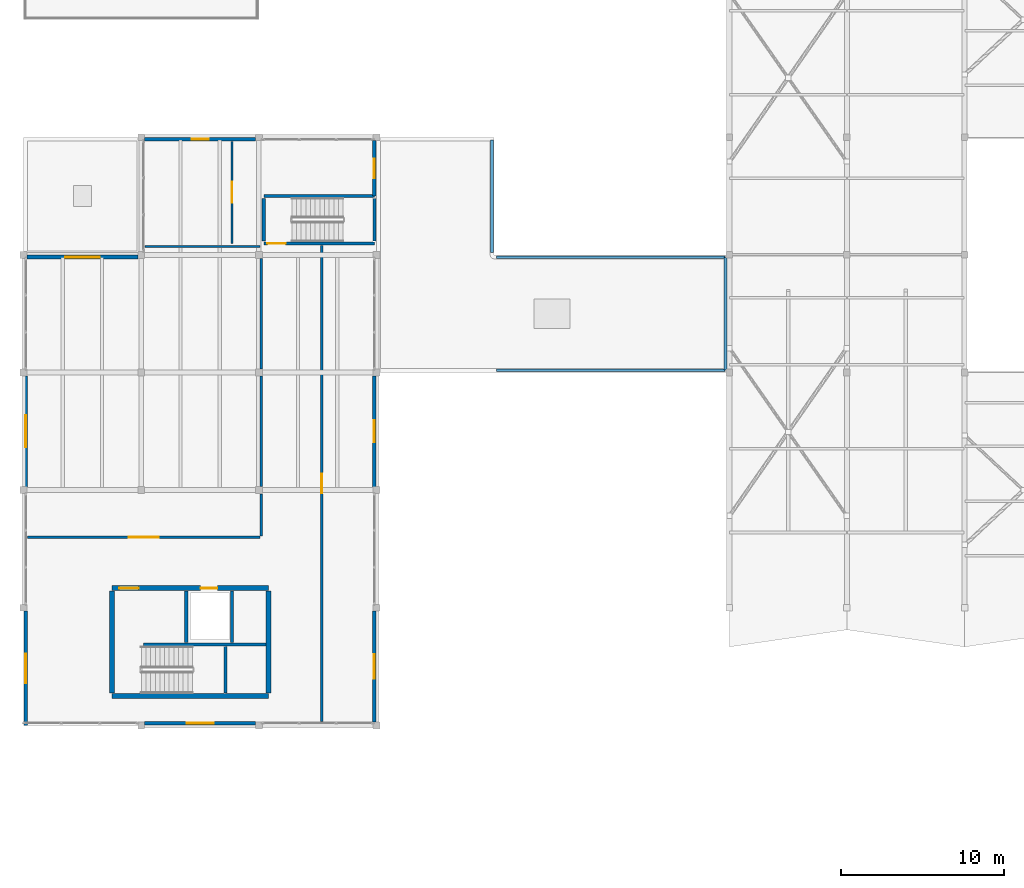
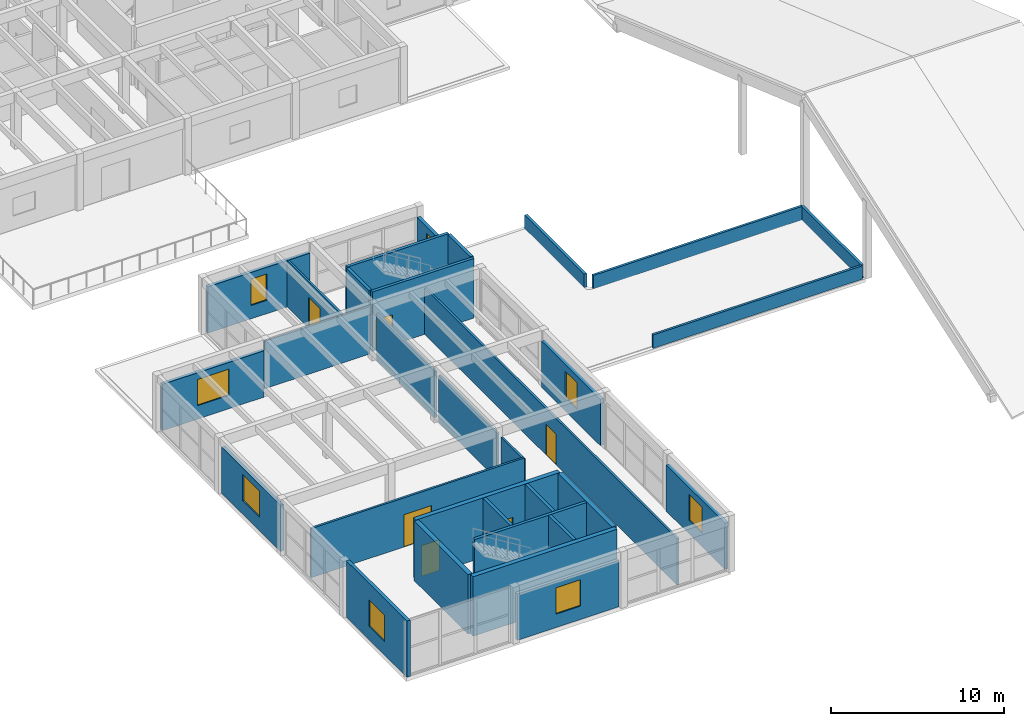
# One storey, part 54 of 68: 31 walls, 8 windows, 6 doors, 14 openings.
"""IFC4 building model written with IfcOpenShell, lengths in metres."""

from ifc_helpers import new_model, si_unit, direction, frame, frame_2d, origin, place, context, subcontext, project, spatial, rectangle, extrude, material, layer, layer_set, type_object, element, fill, save


model = new_model("IFC4")

# Units and contexts
model_context = context("Model", 3, precision=1e-05, world=origin(), true_north=direction((0.0, 1.0)))
body_context = subcontext(model_context, "Body", "Model", "MODEL_VIEW")
ifc_project = project(units=[si_unit("LENGTHUNIT", "METRE"), si_unit("AREAUNIT", "SQUARE_METRE"), si_unit("VOLUMEUNIT", "CUBIC_METRE"), si_unit("PLANEANGLEUNIT", "RADIAN"), si_unit("MASSUNIT", "GRAM", prefix="KILO")], contexts=[model_context])

# Site, building, storey
site_placement = place(None, origin())
site = spatial("IfcSite", under=ifc_project, at=site_placement, CompositionType="ELEMENT")
building_placement = place(site_placement, origin())
building = spatial("IfcBuilding", under=site, at=building_placement, Name="Bramvelor Terrace Health Centre", CompositionType="ELEMENT")
storey_placement = place(building_placement, frame((0.0, 0.0, 9.300048828125)))
storey = spatial("IfcBuildingStorey", under=building, at=storey_placement, Name="L03", CompositionType="ELEMENT", Elevation=9.300048828125)

# Wall
ifc_material_1 = material(Name="Acoustic clinical partition board", Category="gypsum")
ifc_layer_1 = layer(ifc_material_1, 0.110107421875)
ifc_layer_set_1 = layer_set([ifc_layer_1], Name="Acoustic clinical partition board")
wall_type_1 = type_object("IfcWallType", Name="WL-CLN-110", PredefinedType="PARTITIONING", material=ifc_layer_set_1)
wall_1_placement = place(storey_placement, frame((7.429931640625, 58.1201171875, 0.0), z_axis=(0.0, 0.0, 1.0), x_axis=(1.0, 0.0, 0.0)))
element("IfcWall", 1, at=wall_1_placement, inside=storey, type_object=wall_type_1, Name="L03 Interior Partition 273", PredefinedType="PARTITIONING", context=body_context, shape_type="SweptSolid", body=[
    extrude(rectangle(XDim=7.030029296875, YDim=0.110107421875, at=frame_2d((3.51513671875, 0.0))), origin(), (0.0, 0.0, 1.0), 3.349853515625),
])

# Wall, opening, door
ifc_material_2 = material(Name="Fire-rated gypsum and mineral wool", Category="gypsum")
ifc_layer_2 = layer(ifc_material_2, 0.139892578125)
ifc_layer_set_2 = layer_set([ifc_layer_2], Name="Fire-rated gypsum and mineral wool")
wall_type_2 = type_object("IfcWallType", Name="WL-COR-140", PredefinedType="PARTITIONING", material=ifc_layer_set_2)
wall_2_placement = place(storey_placement, frame((14.4599609375, 40.31005859375, 0.0), z_axis=(0.0, 0.0, 1.0), x_axis=(-1.0, 0.0, 0.0)))
wall_2 = element("IfcWall", 2, at=wall_2_placement, inside=storey, type_object=wall_type_2, Name="L03 Interior Partition 272", PredefinedType="PARTITIONING", context=body_context, shape_type="SweptSolid", body=[
    extrude(rectangle(XDim=14.22998046875, YDim=0.139892578125, at=frame_2d((7.114990234375, 0.0))), origin(), (0.0, 0.0, 1.0), 3.469970703125),
])
opening_1_placement = place(wall_2_placement, frame((6.195068359375, 0.0, 0.0)))
opening_1 = element("IfcOpeningElement", 3, at=opening_1_placement, cuts=wall_2, Name="Opening FD-10", PredefinedType="OPENING", context=body_context, shape_type="SweptSolid", body=[
    extrude(rectangle(XDim=1.840087890625, YDim=2.280029296875, at=frame_2d((0.919921875, 1.14013671875))), frame((0.0, 0.079833984375, 0.0), z_axis=(0.0, -1.0, 0.0), x_axis=(1.0, 0.0, 0.0)), (0.0, 0.0, 1.0), 0.159912109375),
])
ifc_material_3 = material(Name="Fire-rated steel and vision panel", Category="steel")
door_type_1 = type_object("IfcDoorType", Name="DR-FD60-184", OperationType="DOUBLE_DOOR_SINGLE_SWING", PredefinedType="DOOR", material=ifc_material_3)
door_1_placement = place(opening_1_placement, origin())
door_1 = element("IfcDoor", 4, at=door_1_placement, inside=storey, type_object=door_type_1, Name="L03 Individual Psychotherapy Counselling Suite Fire Door", OperationType="DOUBLE_DOOR_SINGLE_SWING", OverallHeight=2.280029296875, OverallWidth=1.840087890625, PredefinedType="DOOR", context=body_context, shape_type="SweptSolid", body=[
    extrude(rectangle(XDim=1.840087890625, YDim=2.280029296875, at=frame_2d((0.919921875, 1.14013671875))), frame((0.0, 0.02490234375, 0.0), z_axis=(0.0, -1.0, 0.0), x_axis=(1.0, 0.0, 0.0)), (0.0, 0.0, 1.0), 0.050048828125),
])
fill(opening_1, door_1)

# Walls
for number, where, z_axis, x_axis, name in (
    (5, (14.550048828125, 57.375, 0.0), (0.0, 0.0, 1.0), (0.0, -1.0, 0.0), "L03 Interior Partition 274"),
    (6, (14.550048828125, 50.175048828125, 0.0), (0.0, 0.0, 1.0), (0.0, -1.0, 0.0), "L03 Interior Partition 275"),
):
    element("IfcWall", number, at=place(storey_placement, frame(where, z_axis=z_axis, x_axis=x_axis)), inside=storey, type_object=wall_type_2, Name=name, PredefinedType="PARTITIONING", context=body_context, shape_type="SweptSolid", body=[
        extrude(rectangle(XDim=6.75, YDim=0.139892578125, at=frame_2d((3.375, 0.0))), origin(), (0.0, 0.0, 1.0), 3.27001953125),
    ])
wall_3_placement = place(storey_placement, frame((14.550048828125, 42.97509765625, 0.0), z_axis=(0.0, 0.0, 1.0), x_axis=(0.0, -1.0, 0.0)))
element("IfcWall", 7, at=wall_3_placement, inside=storey, type_object=wall_type_2, Name="L03 Interior Partition 276", PredefinedType="PARTITIONING", context=body_context, shape_type="SweptSolid", body=[
    extrude(rectangle(XDim=2.5751953125, YDim=0.139892578125, at=frame_2d((1.28759765625, 0.0))), origin(), (0.0, 0.0, 1.0), 3.27001953125),
])

# Wall, opening, door
wall_4_placement = place(storey_placement, frame((12.75, 64.550048828125, 0.0), z_axis=(0.0, 0.0, 1.0), x_axis=(0.0, -1.0, 0.0)))
wall_4 = element("IfcWall", 8, at=wall_4_placement, inside=storey, type_object=wall_type_2, Name="L03 Interior Partition 277", PredefinedType="PARTITIONING", context=body_context, shape_type="SweptSolid", body=[
    extrude(rectangle(XDim=6.25, YDim=0.139892578125, at=frame_2d((3.125, 0.0))), origin(), (0.0, 0.0, 1.0), 3.27001953125),
])
opening_2_placement = place(wall_4_placement, frame((2.485107421875, 0.0, 0.0)))
opening_2 = element("IfcOpeningElement", 9, at=opening_2_placement, cuts=wall_4, Name="Opening FD-01", PredefinedType="OPENING", context=body_context, shape_type="SweptSolid", body=[
    extrude(rectangle(XDim=1.280029296875, YDim=2.179931640625, at=frame_2d((0.64013671875, 1.08984375))), frame((0.0, 0.079833984375, 0.0), z_axis=(0.0, -1.0, 0.0), x_axis=(1.0, 0.0, 0.0)), (0.0, 0.0, 1.0), 0.159912109375),
])
ifc_material_4 = material(Name="Fire-rated steel and vision panel", Category="steel")
door_type_2 = type_object("IfcDoorType", Name="DR-FD90-128", OperationType="NOTDEFINED", PredefinedType="DOOR", material=ifc_material_4)
door_2_placement = place(opening_2_placement, origin())
door_2 = element("IfcDoor", 10, at=door_2_placement, inside=storey, type_object=door_type_2, Name="L03 Child Play Therapy Consultation Room Fire Door", OperationType="SINGLE_SWING_RIGHT", OverallHeight=2.179931640625, OverallWidth=1.280029296875, PredefinedType="DOOR", context=body_context, shape_type="SweptSolid", body=[
    extrude(rectangle(XDim=1.280029296875, YDim=2.179931640625, at=frame_2d((0.64013671875, 1.08984375))), frame((0.0, 0.02490234375, 0.0), z_axis=(0.0, -1.0, 0.0), x_axis=(1.0, 0.0, 0.0)), (0.0, 0.0, 1.0), 0.050048828125),
])
fill(opening_2, door_2)

wall_5_placement = place(storey_placement, frame((18.25, 29.030029296875, 0.0), z_axis=(0.0, 0.0, 1.0), x_axis=(6.6979797e-05, 0.999999997757, 0.0)))
wall_5 = element("IfcWall", 11, at=wall_5_placement, inside=storey, type_object=wall_type_2, Name="L03 Interior Partition 278", PredefinedType="PARTITIONING", context=body_context, shape_type="SweptSolid", body=[
    extrude(rectangle(XDim=29.159912109375, YDim=0.139892578125, at=frame_2d((14.580078125, 0.0))), origin(), (0.0, 0.0, 1.0), 3.27001953125),
])
opening_3_placement = place(wall_5_placement, frame((13.989990234375, 0.0, 0.0)))
opening_3 = element("IfcOpeningElement", 12, at=opening_3_placement, cuts=wall_5, Name="Opening FD-02", PredefinedType="OPENING", context=body_context, shape_type="SweptSolid", body=[
    extrude(rectangle(XDim=1.179931640625, YDim=2.159912109375, at=frame_2d((0.58984375, 1.080078125))), frame((0.0, 0.079833984375, 0.0), z_axis=(0.0, -1.0, 0.0), x_axis=(1.0, 0.0, 0.0)), (0.0, 0.0, 1.0), 0.159912109375),
])
ifc_material_5 = material(Name="Fire-rated steel and vision panel", Category="steel")
door_type_3 = type_object("IfcDoorType", Name="DR-FD90-118", OperationType="NOTDEFINED", PredefinedType="DOOR", material=ifc_material_5)
door_3_placement = place(opening_3_placement, origin())
door_3 = element("IfcDoor", 13, at=door_3_placement, inside=storey, type_object=door_type_3, Name="L03 Child and Family Psychiatry Suite Fire Door", OperationType="SINGLE_SWING_LEFT", OverallHeight=2.159912109375, OverallWidth=1.179931640625, PredefinedType="DOOR", context=body_context, shape_type="SweptSolid", body=[
    extrude(rectangle(XDim=1.179931640625, YDim=2.159912109375, at=frame_2d((0.58984375, 1.080078125))), frame((0.0, 0.02490234375, 0.0), z_axis=(0.0, -1.0, 0.0), x_axis=(1.0, 0.0, 0.0)), (0.0, 0.0, 1.0), 0.050048828125),
])
fill(opening_3, door_3)

# Walls
ifc_material_6 = material(Name="Concrete C40/50", Category="concrete")
ifc_layer_3 = layer(ifc_material_6, 0.199951171875)
ifc_layer_set_3 = layer_set([ifc_layer_3], Name="Concrete C40/50")
wall_type_3 = type_object("IfcWallType", Name="WL-CORE-200", PredefinedType="SHEAR", material=ifc_layer_set_3)
wall_6_placement = place(storey_placement, frame((7.35009765625, 33.75, 0.0), z_axis=(0.0, 0.0, 1.0), x_axis=(1.0, 0.0, 0.0)))
element("IfcWall", 14, at=wall_6_placement, inside=storey, type_object=wall_type_3, Name="C3 L03 Core Shear Wall", PredefinedType="SHEAR", context=body_context, shape_type="SweptSolid", body=[
    extrude(rectangle(XDim=7.469970703125, YDim=0.199951171875, at=frame_2d((3.73486328125, 0.0))), origin(), (0.0, 0.0, 1.0), 4.199951171875),
])
wall_7_placement = place(storey_placement, frame((12.35498046875, 30.780029296875, 0.0), z_axis=(0.0, 0.0, 1.0), x_axis=(0.0, 1.0, 0.0)))
element("IfcWall", 15, at=wall_7_placement, inside=storey, type_object=wall_type_3, Name="C3 L03 Core Shear Wall", PredefinedType="SHEAR", context=body_context, shape_type="SweptSolid", body=[
    extrude(rectangle(XDim=2.849853515625, YDim=0.199951171875, at=frame_2d((1.4248046875, 0.0))), origin(), (0.0, 0.0, 1.0), 4.199951171875),
])
for number, where, z_axis, x_axis, name in (
    (16, (9.949951171875, 33.8701171875, 0.0), (0.0, 0.0, 1.0), (0.0, 1.0, 0.0), "C3 L03 Core Shear Wall"),
    (17, (12.75, 33.8701171875, 0.0), (0.0, 0.0, 1.0), (0.0, 1.0, 0.0), "C3 L03 Lift Divider Wall"),
):
    element("IfcWall", number, at=place(storey_placement, frame(where, z_axis=z_axis, x_axis=x_axis)), inside=storey, type_object=wall_type_3, Name=name, PredefinedType="SHEAR", context=body_context, shape_type="SweptSolid", body=[
        extrude(rectangle(XDim=3.14990234375, YDim=0.199951171875, at=frame_2d((1.574951171875, 0.0))), origin(), (0.0, 0.0, 1.0), 4.199951171875),
    ])

# Wall, opening, door
wall_8_placement = place(storey_placement, frame((14.699951171875, 58.300048828125, 0.0), z_axis=(0.0, 0.0, 1.0), x_axis=(1.0, 0.0, 0.0)))
wall_8 = element("IfcWall", 18, at=wall_8_placement, inside=storey, type_object=wall_type_3, Name="ST-6 L03 Stair Shaft Wall", PredefinedType="SHEAR", context=body_context, shape_type="SweptSolid", body=[
    extrude(rectangle(XDim=6.775146484375, YDim=0.199951171875, at=frame_2d((3.3876953125, 0.0))), origin(), (0.0, 0.0, 1.0), 4.199951171875),
])
opening_4_placement = place(wall_8_placement, frame((0.219970703125, 0.0, 0.0)))
opening_4 = element("IfcOpeningElement", 19, at=opening_4_placement, cuts=wall_8, Name="Opening FD-06", PredefinedType="OPENING", context=body_context, shape_type="SweptSolid", body=[
    extrude(rectangle(XDim=1.1201171875, YDim=2.139892578125, at=frame_2d((0.56005859375, 1.06982421875))), frame((0.0, 0.10986328125, 0.0), z_axis=(0.0, -1.0, 0.0), x_axis=(1.0, 0.0, 0.0)), (0.0, 0.0, 1.0), 0.219970703125),
])
ifc_material_7 = material(Name="Fire-rated steel and vision panel", Category="steel")
door_type_4 = type_object("IfcDoorType", Name="DR-FD60-112", OperationType="NOTDEFINED", PredefinedType="DOOR", material=ifc_material_7)
door_4_placement = place(opening_4_placement, origin())
door_4 = element("IfcDoor", 20, at=door_4_placement, inside=storey, type_object=door_type_4, Name="ST-6 L03 Exit Stair Fire Door", OperationType="SINGLE_SWING_LEFT", OverallHeight=2.139892578125, OverallWidth=1.1201171875, PredefinedType="DOOR", context=body_context, shape_type="SweptSolid", body=[
    extrude(rectangle(XDim=1.1201171875, YDim=2.139892578125, at=frame_2d((0.56005859375, 1.06982421875))), frame((0.0, 0.02490234375, 0.0), z_axis=(0.0, -1.0, 0.0), x_axis=(1.0, 0.0, 0.0)), (0.0, 0.0, 1.0), 0.050048828125),
])
fill(opening_4, door_4)

# Walls
wall_9_placement = place(storey_placement, frame((14.699951171875, 61.199951171875, 0.0), z_axis=(0.0, 0.0, 1.0), x_axis=(1.0, 0.0, 0.0)))
element("IfcWall", 21, at=wall_9_placement, inside=storey, type_object=wall_type_3, Name="ST-6 L03 Stair Shaft Wall", PredefinedType="SHEAR", context=body_context, shape_type="SweptSolid", body=[
    extrude(rectangle(XDim=6.775146484375, YDim=0.199951171875, at=frame_2d((3.3876953125, 0.0))), origin(), (0.0, 0.0, 1.0), 4.199951171875),
])
for number, where, z_axis, x_axis, name in (
    (22, (14.699951171875, 58.449951171875, 0.0), (0.0, 0.0, 1.0), (0.0, 1.0, 0.0), "ST-6 L03 Stair Shaft Wall"),
    (23, (21.47509765625, 58.449951171875, 0.0), (0.0, 0.0, 1.0), (0.0, 1.0, 0.0), "ST-6 L03 Stair Shaft Wall"),
):
    element("IfcWall", number, at=place(storey_placement, frame(where, z_axis=z_axis, x_axis=x_axis)), inside=storey, type_object=wall_type_3, Name=name, PredefinedType="SHEAR", context=body_context, shape_type="SweptSolid", body=[
        extrude(rectangle(XDim=2.60009765625, YDim=0.199951171875, at=frame_2d((1.300048828125, 0.0))), origin(), (0.0, 0.0, 1.0), 4.199951171875),
    ])
ifc_material_8 = material(Name="Concrete C40/50", Category="concrete")
ifc_layer_4 = layer(ifc_material_8, 0.300048828125)
ifc_layer_set_4 = layer_set([ifc_layer_4], Name="Concrete C40/50")
wall_type_4 = type_object("IfcWallType", Name="WL-CORE-300", PredefinedType="SHEAR", material=ifc_layer_set_4)
wall_10_placement = place(storey_placement, frame((5.39990234375, 30.60009765625, 0.0), z_axis=(0.0, 0.0, 1.0), x_axis=(1.0, 0.0, 0.0)))
element("IfcWall", 24, at=wall_10_placement, inside=storey, type_object=wall_type_4, Name="C3 L03 Core Shear Wall", PredefinedType="SHEAR", context=body_context, shape_type="SweptSolid", body=[
    extrude(rectangle(XDim=9.60009765625, YDim=0.300048828125, at=frame_2d((4.800048828125, 0.0))), origin(), (0.0, 0.0, 1.0), 4.199951171875),
])

# Wall, openings, doors
wall_11_placement = place(storey_placement, frame((5.39990234375, 37.199951171875, 0.0), z_axis=(0.0, 0.0, 1.0), x_axis=(1.0, 0.0, 0.0)))
wall_11 = element("IfcWall", 25, at=wall_11_placement, inside=storey, type_object=wall_type_4, Name="C3 L03 Core Shear Wall", PredefinedType="SHEAR", context=body_context, shape_type="SweptSolid", body=[
    extrude(rectangle(XDim=9.60009765625, YDim=0.300048828125, at=frame_2d((4.800048828125, 0.0))), origin(), (0.0, 0.0, 1.0), 4.199951171875),
])
opening_5_placement = place(wall_11_placement, frame((0.449951171875, 0.0, 0.0)))
opening_5 = element("IfcOpeningElement", 26, at=opening_5_placement, cuts=wall_11, Name="Opening FD-02", PredefinedType="OPENING", context=body_context, shape_type="SweptSolid", body=[
    extrude(rectangle(XDim=1.179931640625, YDim=2.159912109375, at=frame_2d((0.58984375, 1.080078125))), frame((0.0, 0.159912109375, 0.0), z_axis=(0.0, -1.0, 0.0), x_axis=(1.0, 0.0, 0.0)), (0.0, 0.0, 1.0), 0.320068359375),
])
opening_6_placement = place(wall_11_placement, frame((5.43994140625, 0.0, 0.0)))
opening_6 = element("IfcOpeningElement", 27, at=opening_6_placement, cuts=wall_11, Name="Opening LD-2", PredefinedType="OPENING", context=body_context, shape_type="SweptSolid", body=[
    extrude(rectangle(XDim=1.02001953125, YDim=2.1201171875, at=frame_2d((0.510009765625, 1.06005859375))), frame((0.0, 0.159912109375, 0.0), z_axis=(0.0, -1.0, 0.0), x_axis=(1.0, 0.0, 0.0)), (0.0, 0.0, 1.0), 0.320068359375),
])
door_5_placement = place(opening_5_placement, origin())
door_5 = element("IfcDoor", 28, at=door_5_placement, inside=storey, type_object=door_type_3, Name="C3 L03 Core Stair Fire Door", OperationType="SINGLE_SWING_LEFT", OverallHeight=2.159912109375, OverallWidth=1.179931640625, PredefinedType="DOOR", context=body_context, shape_type="SweptSolid", body=[
    extrude(rectangle(XDim=1.179931640625, YDim=2.159912109375, at=frame_2d((0.58984375, 1.080078125))), frame((0.0, 0.02490234375, 0.0), z_axis=(0.0, -1.0, 0.0), x_axis=(1.0, 0.0, 0.0)), (0.0, 0.0, 1.0), 0.050048828125),
])
fill(opening_5, door_5)
ifc_material_9 = material(Name="Brushed stainless steel 316", Category="steel")
door_type_5 = type_object("IfcDoorType", Name="DR-LIFT-PS102", OperationType="SLIDING_TO_LEFT", PredefinedType="DOOR", material=ifc_material_9)
door_6_placement = place(opening_6_placement, origin())
door_6 = element("IfcDoor", 29, at=door_6_placement, inside=storey, type_object=door_type_5, Name="Lift LP-03 L03 Sliding Landing Door", OperationType="SLIDING_TO_LEFT", OverallHeight=2.1201171875, OverallWidth=1.02001953125, PredefinedType="DOOR", context=body_context, shape_type="SweptSolid", body=[
    extrude(rectangle(XDim=1.02001953125, YDim=2.1201171875, at=frame_2d((0.510009765625, 1.06005859375))), frame((0.0, 0.02490234375, 0.0), z_axis=(0.0, -1.0, 0.0), x_axis=(1.0, 0.0, 0.0)), (0.0, 0.0, 1.0), 0.050048828125),
])
fill(opening_6, door_6)

# Walls
for number, where, z_axis, x_axis, name in (
    (30, (5.39990234375, 30.780029296875, 0.0), (0.0, 0.0, 1.0), (0.0, 1.0, 0.0), "C3 L03 Core Shear Wall"),
    (31, (15.0, 30.780029296875, 0.0), (0.0, 0.0, 1.0), (0.0, 1.0, 0.0), "C3 L03 Core Shear Wall"),
):
    element("IfcWall", number, at=place(storey_placement, frame(where, z_axis=z_axis, x_axis=x_axis)), inside=storey, type_object=wall_type_4, Name=name, PredefinedType="SHEAR", context=body_context, shape_type="SweptSolid", body=[
        extrude(rectangle(XDim=6.239990234375, YDim=0.300048828125, at=frame_2d((3.1201171875, 0.0))), origin(), (0.0, 0.0, 1.0), 4.199951171875),
    ])

# Wall, opening, window
ifc_material_10 = material(Name="Cross-laminated timber C24", Category="wood")
ifc_layer_5 = layer(ifc_material_10, 0.219970703125)
ifc_layer_set_5 = layer_set([ifc_layer_5], Name="Cross-laminated timber C24")
wall_type_5 = type_object("IfcWallType", Name="WL-EXT-CLT220", PredefinedType="SOLIDWALL", material=ifc_layer_set_5)
wall_12_placement = place(storey_placement, frame((7.405029296875, 64.669921875, 0.0), z_axis=(0.0, 0.0, 1.0), x_axis=(1.0, 0.0, 0.0)))
wall_12 = element("IfcWall", 32, at=wall_12_placement, inside=storey, type_object=wall_type_5, Name="L03 Exterior Facade Wall 1", PredefinedType="SOLIDWALL", context=body_context, shape_type="SweptSolid", body=[
    extrude(rectangle(XDim=6.7900390625, YDim=0.219970703125, at=frame_2d((3.39501953125, 0.0))), origin(), (0.0, 0.0, 1.0), 3.27001953125),
])
opening_7_placement = place(wall_12_placement, frame((2.8701171875, 0.0, 0.949951171875)))
opening_7 = element("IfcOpeningElement", 33, at=opening_7_placement, cuts=wall_12, Name="Opening WN-51", PredefinedType="OPENING", context=body_context, shape_type="SweptSolid", body=[
    extrude(rectangle(XDim=1.050048828125, YDim=1.85009765625, at=frame_2d((0.52490234375, 0.925048828125))), frame((0.0, 0.119873046875, 0.0), z_axis=(0.0, -1.0, 0.0), x_axis=(1.0, 0.0, 0.0)), (0.0, 0.0, 1.0), 0.239990234375),
])
ifc_material_11 = material(Name="Double low-E laminated glass", Category="glass")
window_type_1 = type_object("IfcWindowType", Name="WIN-EXT-51", PartitioningType="SINGLE_PANEL", PredefinedType="WINDOW", material=ifc_material_11)
window_1_placement = place(opening_7_placement, origin())
window_1 = element("IfcWindow", 34, at=window_1_placement, inside=storey, type_object=window_type_1, Name="L03 Scheduled Clinical Window 111", OverallHeight=1.85009765625, OverallWidth=1.050048828125, PartitioningType="SINGLE_PANEL", PredefinedType="WINDOW", context=body_context, shape_type="SweptSolid", body=[
    extrude(rectangle(XDim=1.050048828125, YDim=1.85009765625, at=frame_2d((0.52490234375, 0.925048828125))), frame((0.0, 0.030029296875, 0.0), z_axis=(0.0, -1.0, 0.0), x_axis=(1.0, 0.0, 0.0)), (0.0, 0.0, 1.0), 0.06005859375),
])
fill(opening_7, window_1)

wall_13_placement = place(storey_placement, frame((21.469970703125, 64.594970703125, 0.0), z_axis=(0.0, 0.0, 1.0), x_axis=(0.0, -1.0, 0.0)))
wall_13 = element("IfcWall", 35, at=wall_13_placement, inside=storey, type_object=wall_type_5, Name="L03 Exterior Facade Wall 3", PredefinedType="SOLIDWALL", context=body_context, shape_type="SweptSolid", body=[
    extrude(rectangle(XDim=3.39501953125, YDim=0.219970703125, at=frame_2d((1.697509765625, 0.0))), origin(), (0.0, 0.0, 1.0), 3.27001953125),
])
opening_8_placement = place(wall_13_placement, frame((1.097412109375, 0.0, 0.949951171875)))
opening_8 = element("IfcOpeningElement", 36, at=opening_8_placement, cuts=wall_13, Name="Opening WN-52", PredefinedType="OPENING", context=body_context, shape_type="SweptSolid", body=[
    extrude(rectangle(XDim=1.199951171875, YDim=1.85009765625, at=frame_2d((0.60009765625, 0.925048828125))), frame((0.0, 0.119873046875, 0.0), z_axis=(0.0, -1.0, 0.0), x_axis=(1.0, 0.0, 0.0)), (0.0, 0.0, 1.0), 0.239990234375),
])
ifc_material_12 = material(Name="Double low-E laminated glass", Category="glass")
window_type_2 = type_object("IfcWindowType", Name="WIN-EXT-52", PartitioningType="SINGLE_PANEL", PredefinedType="WINDOW", material=ifc_material_12)
window_2_placement = place(opening_8_placement, origin())
window_2 = element("IfcWindow", 37, at=window_2_placement, inside=storey, type_object=window_type_2, Name="L03 Scheduled Clinical Window 112", OverallHeight=1.85009765625, OverallWidth=1.199951171875, PartitioningType="SINGLE_PANEL", PredefinedType="WINDOW", context=body_context, shape_type="SweptSolid", body=[
    extrude(rectangle(XDim=1.199951171875, YDim=1.85009765625, at=frame_2d((0.60009765625, 0.925048828125))), frame((0.0, 0.030029296875, 0.0), z_axis=(0.0, -1.0, 0.0), x_axis=(1.0, 0.0, 0.0)), (0.0, 0.0, 1.0), 0.06005859375),
])
fill(opening_8, window_2)

wall_14_placement = place(storey_placement, frame((21.469970703125, 50.195068359375, 0.0), z_axis=(0.0, 0.0, 1.0), x_axis=(0.0, -1.0, 0.0)))
wall_14 = element("IfcWall", 38, at=wall_14_placement, inside=storey, type_object=wall_type_5, Name="L03 Exterior Facade Wall 5", PredefinedType="SOLIDWALL", context=body_context, shape_type="SweptSolid", body=[
    extrude(rectangle(XDim=6.7900390625, YDim=0.219970703125, at=frame_2d((3.39501953125, 0.0))), origin(), (0.0, 0.0, 1.0), 3.27001953125),
])
opening_9_placement = place(wall_14_placement, frame((2.719970703125, 0.0, 0.949951171875)))
opening_9 = element("IfcOpeningElement", 39, at=opening_9_placement, cuts=wall_14, Name="Opening WN-53", PredefinedType="OPENING", context=body_context, shape_type="SweptSolid", body=[
    extrude(rectangle(XDim=1.35009765625, YDim=1.85009765625, at=frame_2d((0.675048828125, 0.925048828125))), frame((0.0, 0.119873046875, 0.0), z_axis=(0.0, -1.0, 0.0), x_axis=(1.0, 0.0, 0.0)), (0.0, 0.0, 1.0), 0.239990234375),
])
ifc_material_13 = material(Name="Double low-E laminated glass", Category="glass")
window_type_3 = type_object("IfcWindowType", Name="WIN-EXT-53", PartitioningType="SINGLE_PANEL", PredefinedType="WINDOW", material=ifc_material_13)
window_3_placement = place(opening_9_placement, origin())
window_3 = element("IfcWindow", 40, at=window_3_placement, inside=storey, type_object=window_type_3, Name="L03 Scheduled Clinical Window 113", OverallHeight=1.85009765625, OverallWidth=1.35009765625, PartitioningType="SINGLE_PANEL", PredefinedType="WINDOW", context=body_context, shape_type="SweptSolid", body=[
    extrude(rectangle(XDim=1.35009765625, YDim=1.85009765625, at=frame_2d((0.675048828125, 0.925048828125))), frame((0.0, 0.030029296875, 0.0), z_axis=(0.0, -1.0, 0.0), x_axis=(1.0, 0.0, 0.0)), (0.0, 0.0, 1.0), 0.06005859375),
])
fill(opening_9, window_3)

wall_15_placement = place(storey_placement, frame((21.469970703125, 35.794921875, 0.0), z_axis=(0.0, 0.0, 1.0), x_axis=(0.0, -1.0, 0.0)))
wall_15 = element("IfcWall", 41, at=wall_15_placement, inside=storey, type_object=wall_type_5, Name="L03 Exterior Facade Wall 7", PredefinedType="SOLIDWALL", context=body_context, shape_type="SweptSolid", body=[
    extrude(rectangle(XDim=6.7900390625, YDim=0.219970703125, at=frame_2d((3.39501953125, 0.0))), origin(), (0.0, 0.0, 1.0), 3.27001953125),
])
opening_10_placement = place(wall_15_placement, frame((2.64501953125, 0.0, 0.949951171875)))
opening_10 = element("IfcOpeningElement", 42, at=opening_10_placement, cuts=wall_15, Name="Opening WN-54", PredefinedType="OPENING", context=body_context, shape_type="SweptSolid", body=[
    extrude(rectangle(XDim=1.5, YDim=1.85009765625, at=frame_2d((0.75, 0.925048828125))), frame((0.0, 0.119873046875, 0.0), z_axis=(0.0, -1.0, 0.0), x_axis=(1.0, 0.0, 0.0)), (0.0, 0.0, 1.0), 0.239990234375),
])
ifc_material_14 = material(Name="Double low-E laminated glass", Category="glass")
window_type_4 = type_object("IfcWindowType", Name="WIN-EXT-54", PartitioningType="SINGLE_PANEL", PredefinedType="WINDOW", material=ifc_material_14)
window_4_placement = place(opening_10_placement, origin())
window_4 = element("IfcWindow", 43, at=window_4_placement, inside=storey, type_object=window_type_4, Name="L03 Scheduled Clinical Window 114", OverallHeight=1.85009765625, OverallWidth=1.5, PartitioningType="SINGLE_PANEL", PredefinedType="WINDOW", context=body_context, shape_type="SweptSolid", body=[
    extrude(rectangle(XDim=1.5, YDim=1.85009765625, at=frame_2d((0.75, 0.925048828125))), frame((0.0, 0.030029296875, 0.0), z_axis=(0.0, -1.0, 0.0), x_axis=(1.0, 0.0, 0.0)), (0.0, 0.0, 1.0), 0.06005859375),
])
fill(opening_10, window_4)

wall_16_placement = place(storey_placement, frame((14.195068359375, 28.929931640625, 0.0), z_axis=(0.0, 0.0, 1.0), x_axis=(-1.0, 0.0, 0.0)))
wall_16 = element("IfcWall", 44, at=wall_16_placement, inside=storey, type_object=wall_type_5, Name="L03 Exterior Facade Wall 9", PredefinedType="SOLIDWALL", context=body_context, shape_type="SweptSolid", body=[
    extrude(rectangle(XDim=6.7900390625, YDim=0.219970703125, at=frame_2d((3.39501953125, 0.0))), origin(), (0.0, 0.0, 1.0), 3.27001953125),
])
opening_11_placement = place(wall_16_placement, frame((2.570068359375, 0.0, 0.949951171875)))
opening_11 = element("IfcOpeningElement", 45, at=opening_11_placement, cuts=wall_16, Name="Opening WN-55", PredefinedType="OPENING", context=body_context, shape_type="SweptSolid", body=[
    extrude(rectangle(XDim=1.64990234375, YDim=1.85009765625, at=frame_2d((0.824951171875, 0.925048828125))), frame((0.0, 0.119873046875, 0.0), z_axis=(0.0, -1.0, 0.0), x_axis=(1.0, 0.0, 0.0)), (0.0, 0.0, 1.0), 0.239990234375),
])
ifc_material_15 = material(Name="Double low-E laminated glass", Category="glass")
window_type_5 = type_object("IfcWindowType", Name="WIN-EXT-55", PartitioningType="SINGLE_PANEL", PredefinedType="WINDOW", material=ifc_material_15)
window_5_placement = place(opening_11_placement, origin())
window_5 = element("IfcWindow", 46, at=window_5_placement, inside=storey, type_object=window_type_5, Name="L03 Scheduled Clinical Window 115", OverallHeight=1.85009765625, OverallWidth=1.64990234375, PartitioningType="SINGLE_PANEL", PredefinedType="WINDOW", context=body_context, shape_type="SweptSolid", body=[
    extrude(rectangle(XDim=1.64990234375, YDim=1.85009765625, at=frame_2d((0.824951171875, 0.925048828125))), frame((0.0, 0.030029296875, 0.0), z_axis=(0.0, -1.0, 0.0), x_axis=(1.0, 0.0, 0.0)), (0.0, 0.0, 1.0), 0.06005859375),
])
fill(opening_11, window_5)

wall_17_placement = place(storey_placement, frame((0.1298828125, 28.780029296875, 0.0), z_axis=(0.0, 0.0, 1.0), x_axis=(0.0, 1.0, 0.0)))
wall_17 = element("IfcWall", 47, at=wall_17_placement, inside=storey, type_object=wall_type_5, Name="L03 Exterior Facade Wall 11", PredefinedType="SOLIDWALL", context=body_context, shape_type="SweptSolid", body=[
    extrude(rectangle(XDim=7.014892578125, YDim=0.219970703125, at=frame_2d((3.50732421875, 0.0))), origin(), (0.0, 0.0, 1.0), 3.969970703125),
])
opening_12_placement = place(wall_17_placement, frame((2.607421875, 0.0, 0.949951171875)))
opening_12 = element("IfcOpeningElement", 48, at=opening_12_placement, cuts=wall_17, Name="Opening WN-56", PredefinedType="OPENING", context=body_context, shape_type="SweptSolid", body=[
    extrude(rectangle(XDim=1.800048828125, YDim=1.85009765625, at=frame_2d((0.89990234375, 0.925048828125))), frame((0.0, 0.119873046875, 0.0), z_axis=(0.0, -1.0, 0.0), x_axis=(1.0, 0.0, 0.0)), (0.0, 0.0, 1.0), 0.239990234375),
])
ifc_material_16 = material(Name="Double low-E laminated glass", Category="glass")
window_type_6 = type_object("IfcWindowType", Name="WIN-EXT-56", PartitioningType="SINGLE_PANEL", PredefinedType="WINDOW", material=ifc_material_16)
window_6_placement = place(opening_12_placement, origin())
window_6 = element("IfcWindow", 49, at=window_6_placement, inside=storey, type_object=window_type_6, Name="L03 Scheduled Clinical Window 116", OverallHeight=1.85009765625, OverallWidth=1.800048828125, PartitioningType="SINGLE_PANEL", PredefinedType="WINDOW", context=body_context, shape_type="SweptSolid", body=[
    extrude(rectangle(XDim=1.800048828125, YDim=1.85009765625, at=frame_2d((0.89990234375, 0.925048828125))), frame((0.0, 0.030029296875, 0.0), z_axis=(0.0, -1.0, 0.0), x_axis=(1.0, 0.0, 0.0)), (0.0, 0.0, 1.0), 0.06005859375),
])
fill(opening_12, window_6)

wall_18_placement = place(storey_placement, frame((0.1298828125, 43.405029296875, 0.0), z_axis=(0.0, 0.0, 1.0), x_axis=(0.0, 1.0, 0.0)))
wall_18 = element("IfcWall", 50, at=wall_18_placement, inside=storey, type_object=wall_type_5, Name="L03 Exterior Facade Wall 13", PredefinedType="SOLIDWALL", context=body_context, shape_type="SweptSolid", body=[
    extrude(rectangle(XDim=6.7900390625, YDim=0.219970703125, at=frame_2d((3.39501953125, 0.0))), origin(), (0.0, 0.0, 1.0), 3.27001953125),
])
opening_13_placement = place(wall_18_placement, frame((2.419921875, 0.0, 0.949951171875)))
opening_13 = element("IfcOpeningElement", 51, at=opening_13_placement, cuts=wall_18, Name="Opening WN-57", PredefinedType="OPENING", context=body_context, shape_type="SweptSolid", body=[
    extrude(rectangle(XDim=1.949951171875, YDim=1.85009765625, at=frame_2d((0.97509765625, 0.925048828125))), frame((0.0, 0.119873046875, 0.0), z_axis=(0.0, -1.0, 0.0), x_axis=(1.0, 0.0, 0.0)), (0.0, 0.0, 1.0), 0.239990234375),
])
ifc_material_17 = material(Name="Double low-E laminated glass", Category="glass")
window_type_7 = type_object("IfcWindowType", Name="WIN-EXT-57", PartitioningType="SINGLE_PANEL", PredefinedType="WINDOW", material=ifc_material_17)
window_7_placement = place(opening_13_placement, origin())
window_7 = element("IfcWindow", 52, at=window_7_placement, inside=storey, type_object=window_type_7, Name="L03 Scheduled Clinical Window 117", OverallHeight=1.85009765625, OverallWidth=1.949951171875, PartitioningType="SINGLE_PANEL", PredefinedType="WINDOW", context=body_context, shape_type="SweptSolid", body=[
    extrude(rectangle(XDim=1.949951171875, YDim=1.85009765625, at=frame_2d((0.97509765625, 0.925048828125))), frame((0.0, 0.030029296875, 0.0), z_axis=(0.0, -1.0, 0.0), x_axis=(1.0, 0.0, 0.0)), (0.0, 0.0, 1.0), 0.06005859375),
])
fill(opening_13, window_7)

wall_19_placement = place(storey_placement, frame((0.205078125, 57.469970703125, 0.0), z_axis=(0.0, 0.0, 1.0), x_axis=(1.0, 0.0, 0.0)))
wall_19 = element("IfcWall", 53, at=wall_19_placement, inside=storey, type_object=wall_type_5, Name="L03 Exterior Facade Wall 15", PredefinedType="SOLIDWALL", context=body_context, shape_type="SweptSolid", body=[
    extrude(rectangle(XDim=6.7900390625, YDim=0.219970703125, at=frame_2d((3.39501953125, 0.0))), origin(), (0.0, 0.0, 1.0), 3.27001953125),
])
opening_14_placement = place(wall_19_placement, frame((2.344970703125, 0.0, 0.949951171875)))
opening_14 = element("IfcOpeningElement", 54, at=opening_14_placement, cuts=wall_19, Name="Opening WN-58", PredefinedType="OPENING", context=body_context, shape_type="SweptSolid", body=[
    extrude(rectangle(XDim=2.10009765625, YDim=1.85009765625, at=frame_2d((1.050048828125, 0.925048828125))), frame((0.0, 0.119873046875, 0.0), z_axis=(0.0, -1.0, 0.0), x_axis=(1.0, 0.0, 0.0)), (0.0, 0.0, 1.0), 0.239990234375),
])
ifc_material_18 = material(Name="Double low-E laminated glass", Category="glass")
window_type_8 = type_object("IfcWindowType", Name="WIN-EXT-58", PartitioningType="SINGLE_PANEL", PredefinedType="WINDOW", material=ifc_material_18)
window_8_placement = place(opening_14_placement, origin())
window_8 = element("IfcWindow", 55, at=window_8_placement, inside=storey, type_object=window_type_8, Name="L03 Scheduled Clinical Window 118", OverallHeight=1.85009765625, OverallWidth=2.10009765625, PartitioningType="SINGLE_PANEL", PredefinedType="WINDOW", context=body_context, shape_type="SweptSolid", body=[
    extrude(rectangle(XDim=2.10009765625, YDim=1.85009765625, at=frame_2d((1.050048828125, 0.925048828125))), frame((0.0, 0.030029296875, 0.0), z_axis=(0.0, -1.0, 0.0), x_axis=(1.0, 0.0, 0.0)), (0.0, 0.0, 1.0), 0.06005859375),
])
fill(opening_14, window_8)

# Walls
ifc_material_19 = material(Name="Precast concrete C40/50", Category="concrete")
ifc_layer_6 = layer(ifc_material_19, 0.155029296875)
ifc_layer_set_6 = layer_set([ifc_layer_6], Name="Precast concrete C40/50")
wall_type_6 = type_object("IfcWallType", Name="WL-PAR-155", PredefinedType="PARAPET", material=ifc_layer_set_6)
for number, where, z_axis, x_axis, name in (
    (56, (28.9599609375, 57.4599609375, -0.080078125), (0.0, 0.0, 1.0), (1.0, 0.0, 0.0), "L03 Roof Parapet Upstand 3"),
    (57, (42.93994140625, 50.5400390625, -0.080078125), (0.0, 0.0, 1.0), (-1.0, 0.0, 0.0), "L03 Roof Parapet Upstand 5"),
):
    element("IfcWall", number, at=place(storey_placement, frame(where, z_axis=z_axis, x_axis=x_axis)), inside=storey, type_object=wall_type_6, Name=name, PredefinedType="PARAPET", context=body_context, shape_type="SweptSolid", body=[
        extrude(rectangle(XDim=13.97998046875, YDim=0.155029296875, at=frame_2d((6.989990234375, 0.0))), origin(), (0.0, 0.0, 1.0), 0.949951171875),
    ])
ifc_material_20 = material(Name="Precast concrete C40/50", Category="concrete")
ifc_layer_7 = layer(ifc_material_20, 0.175048828125)
ifc_layer_set_7 = layer_set([ifc_layer_7], Name="Precast concrete C40/50")
wall_type_7 = type_object("IfcWallType", Name="WL-PAR-175", PredefinedType="PARAPET", material=ifc_layer_set_7)
for number, where, z_axis, x_axis, name in (
    (58, (42.9599609375, 57.43994140625, -0.080078125), (0.0, 0.0, 1.0), (0.0, -1.0, 0.0), "L03 Roof Parapet Upstand 4"),
    (59, (28.659912109375, 64.639892578125, -0.080078125), (0.0, 0.0, 1.0), (0.0, -1.0, 0.0), "L03 Roof Parapet Upstand 6"),
):
    element("IfcWall", number, at=place(storey_placement, frame(where, z_axis=z_axis, x_axis=x_axis)), inside=storey, type_object=wall_type_7, Name=name, PredefinedType="PARAPET", context=body_context, shape_type="SweptSolid", body=[
        extrude(rectangle(XDim=6.8798828125, YDim=0.175048828125, at=frame_2d((3.43994140625, 0.0))), origin(), (0.0, 0.0, 1.0), 0.949951171875),
    ])

save(model, "model.ifc")
